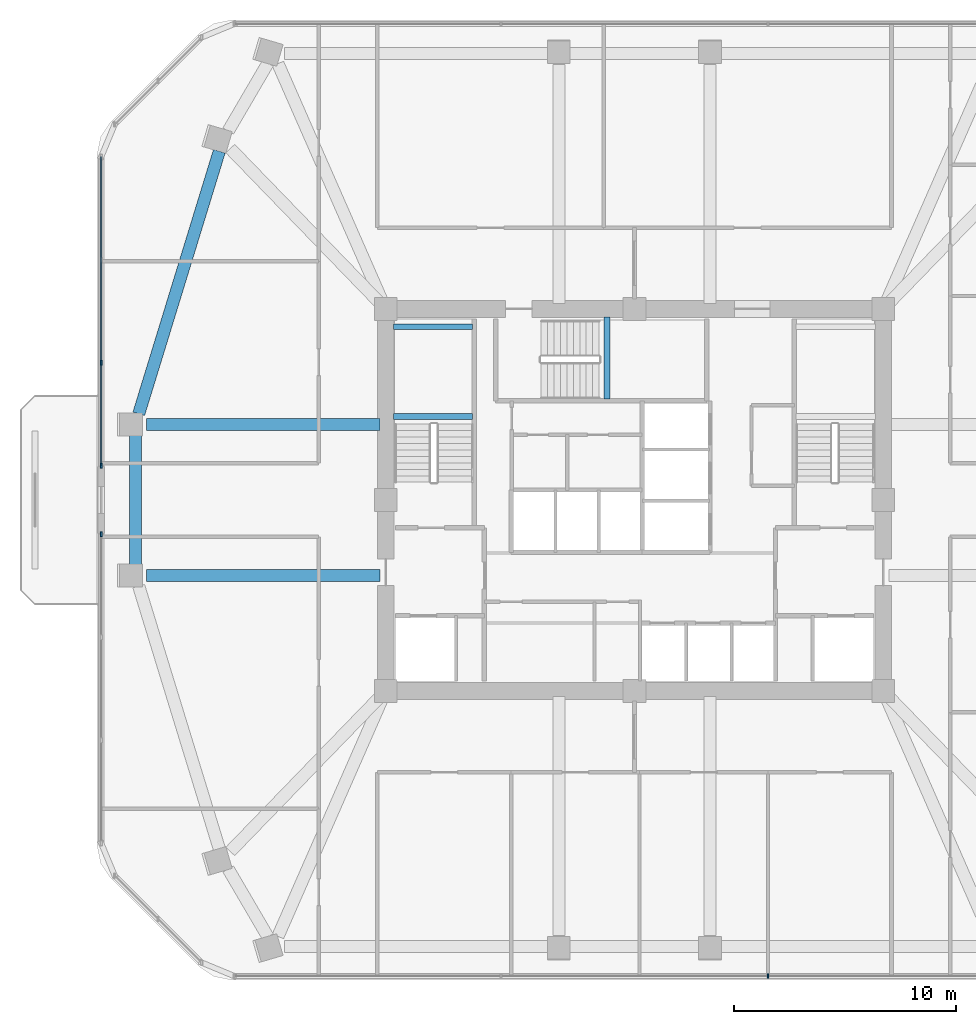
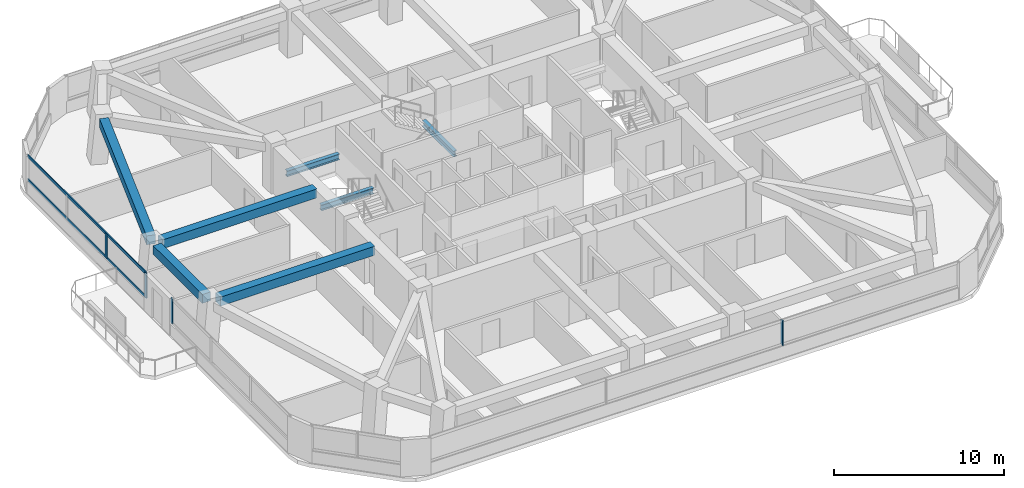
# One storey, part 4 of 14: 7 beams, 6 members, 3 elements without a shape of their own.
"""IFC4 building model written with IfcOpenShell, lengths in metres."""

from ifc_helpers import new_model, si_unit, derived_unit, direction, frame, origin, origin_2d, place, context, subcontext, project, spatial, rectangle, i_section, extrude, material, material_profile, profile_set, type_object, element, aggregate, save


model = new_model("IFC4")

# Units and contexts
model_context = context("Model", 3, precision=1e-05, world=origin(), true_north=direction((0.0, 1.0)))
body_context = subcontext(model_context, "Body", "Model", "MODEL_VIEW")
ifc_project = project(units=[si_unit("LENGTHUNIT", "METRE"), si_unit("AREAUNIT", "SQUARE_METRE"), si_unit("VOLUMEUNIT", "CUBIC_METRE"), si_unit("PLANEANGLEUNIT", "RADIAN"), si_unit("MASSUNIT", "GRAM", prefix="KILO"), derived_unit("THERMALTRANSMITTANCEUNIT", [(si_unit("POWERUNIT", "WATT"), 1), (si_unit("LENGTHUNIT", "METRE"), -2), (si_unit("THERMODYNAMICTEMPERATUREUNIT", "KELVIN"), -1)])], contexts=[model_context])

# Site, building, storey
site_placement = place(None, origin())
site = spatial("IfcSite", under=ifc_project, at=site_placement, CompositionType="ELEMENT")
building_placement = place(site_placement, origin())
building = spatial("IfcBuilding", under=site, at=building_placement, Name="Koralith Skygarden Medical Center", CompositionType="ELEMENT")
storey_placement = place(building_placement, frame((0.0, 0.0, 120.780029296875)))
storey = spatial("IfcBuildingStorey", under=building, at=storey_placement, Name="L31", CompositionType="ELEMENT", Elevation=120.780029296875)

# Curtain wall, member
ifc_material_1 = material(Name="Clear Laminated Glass", Category="glass")
curtain_wall_type = type_object("IfcCurtainWallType", Name="CW-3 Zone 2 Faceted Solar Curtain Wall", PredefinedType="NOTDEFINED", material=ifc_material_1)
curtain_wall_1_placement = place(storey_placement, origin())
curtain_wall_1 = element("IfcCurtainWall", 1, at=curtain_wall_1_placement, inside=storey, type_object=curtain_wall_type, Name="Curtain Wall CW-L31-S", PredefinedType="NOTDEFINED")
ifc_material_2 = material(Name="Aluminium 6063-T6", Category="aluminium")
ifc_material_profile_1 = material_profile(ifc_material_2, rectangle(XDim=0.073974609375, YDim=0.219970703125, at=origin_2d()), Name="MUL74X220")
ifc_profile_set_1 = profile_set([ifc_material_profile_1], Name="Aluminium 6063-T6")
member_type_1 = type_object("IfcMemberType", Name="CW-3 Extruded Mullion 74x220", PredefinedType="MULLION", material=ifc_profile_set_1)
member_1_placement = place(storey_placement, frame((43.008056640625, 4.47607421875, 0.849853515625), z_axis=(0.0, 0.0, 1.0), x_axis=(1.0, 0.0, 0.0)))
member_1 = element("IfcMember", 2, at=member_1_placement, type_object=member_type_1, Name="CW-L31-S Mullion 3", PredefinedType="MULLION", context=body_context, shape_type="SweptSolid", body=[
    extrude(rectangle(XDim=0.073974609375, YDim=0.219970703125, at=origin_2d()), origin(), (0.0, 0.0, 1.0), 1.800048828125),
])
aggregate(curtain_wall_1, [member_1])

# Curtain wall, members
curtain_wall_2_placement = place(storey_placement, origin())
curtain_wall_2 = element("IfcCurtainWall", 3, at=curtain_wall_2_placement, inside=storey, type_object=curtain_wall_type, Name="Curtain Wall CW-L31-W-L", PredefinedType="NOTDEFINED")
member_2_placement = place(storey_placement, frame((13.0, 32.075927734375, 0.849853515625), z_axis=(0.0, 0.0, 1.0), x_axis=(1.0, 0.0, 0.0)))
member_2 = element("IfcMember", 4, at=member_2_placement, type_object=member_type_1, Name="CW-L31-W-L Mullion 3", PredefinedType="MULLION", context=body_context, shape_type="SweptSolid", body=[
    extrude(rectangle(XDim=0.073974609375, YDim=0.219970703125, at=origin_2d()), origin(), (0.0, 0.0, 1.0), 1.800048828125),
])
member_3_placement = place(storey_placement, frame((13.0, 27.43994140625, 0.849853515625), z_axis=(0.0, 0.0, 1.0), x_axis=(1.0, 0.0, 0.0)))
member_3 = element("IfcMember", 5, at=member_3_placement, type_object=member_type_1, Name="CW-L31-W-L Mullion 4", PredefinedType="MULLION", context=body_context, shape_type="SweptSolid", body=[
    extrude(rectangle(XDim=0.073974609375, YDim=0.219970703125, at=origin_2d()), origin(), (0.0, 0.0, 1.0), 1.800048828125),
])

# Curtain wall, member
curtain_wall_3_placement = place(storey_placement, origin())
curtain_wall_3 = element("IfcCurtainWall", 6, at=curtain_wall_3_placement, inside=storey, type_object=curtain_wall_type, Name="Curtain Wall CW-L31-W-R", PredefinedType="NOTDEFINED")
member_4_placement = place(storey_placement, frame((13.0, 24.360107421875, 0.849853515625), z_axis=(0.0, 0.0, 1.0), x_axis=(1.0, 0.0, 0.0)))
member_4 = element("IfcMember", 7, at=member_4_placement, type_object=member_type_1, Name="CW-L31-W-R Mullion 1", PredefinedType="MULLION", context=body_context, shape_type="SweptSolid", body=[
    extrude(rectangle(XDim=0.073974609375, YDim=0.219970703125, at=origin_2d()), origin(), (0.0, 0.0, 1.0), 1.800048828125),
])
aggregate(curtain_wall_3, [member_4])

# Member
ifc_material_profile_2 = material_profile(ifc_material_2, rectangle(XDim=0.069091796875, YDim=0.197998046875, at=origin_2d()), Name="TRN69X198")
ifc_profile_set_2 = profile_set([ifc_material_profile_2], Name="Aluminium 6063-T6")
member_type_2 = type_object("IfcMemberType", Name="CW-3 Thermal Transom 69x198", PredefinedType="USERDEFINED", material=ifc_profile_set_2)
member_5_placement = place(storey_placement, frame((13.0, 41.347900390625, 0.89990234375), z_axis=(0.0, -1.0, 0.0), x_axis=(1.0, 0.0, 0.0)))
member_5 = element("IfcMember", 8, at=member_5_placement, type_object=member_type_2, Name="CW-L31-W-L Transom 1", ObjectType="TRANSOM", PredefinedType="USERDEFINED", context=body_context, shape_type="SweptSolid", body=[
    extrude(rectangle(XDim=0.069091796875, YDim=0.197998046875, at=origin_2d()), origin(), (0.0, 0.0, 1.0), 13.907958984375),
])

member_6_placement = place(storey_placement, frame((13.0, 41.347900390625, 2.599853515625), z_axis=(0.0, -1.0, 0.0), x_axis=(1.0, 0.0, 0.0)))
member_6 = element("IfcMember", 9, at=member_6_placement, type_object=member_type_2, Name="CW-L31-W-L Transom 2", ObjectType="TRANSOM", PredefinedType="USERDEFINED", context=body_context, shape_type="SweptSolid", body=[
    extrude(rectangle(XDim=0.069091796875, YDim=0.197998046875, at=origin_2d()), origin(), (0.0, 0.0, 1.0), 13.907958984375),
])

aggregate(curtain_wall_2, [member_2, member_3, member_5, member_6])

# Beams
ifc_material_3 = material(Name="Steel ASTM A992 Grade 50", Category="steel")
ifc_material_profile_3 = material_profile(ifc_material_3, i_section(OverallWidth=0.260009765625, OverallDepth=0.4150390625, WebThickness=0.010009765625, FlangeThickness=0.016845703125, at=origin_2d()), Name="W16X67")
ifc_profile_set_3 = profile_set([ifc_material_profile_3], Name="Steel ASTM A992 Grade 50")
beam_type_1 = type_object("IfcBeamType", Name="Clinical Floor Joist W16X67", PredefinedType="JOIST", material=ifc_profile_set_3)
for number, where, z_axis, x_axis, name in (
    (10, (26.155029296875, 29.659912109375, 1.39208984375), (1.0, 0.0, 0.0), (0.0, 1.0, 0.0), "L31 Stair ST1 Half-Landing Support Beam 1A"),
    (11, (26.155029296875, 33.699951171875, 1.39208984375), (1.0, 0.0, 0.0), (0.0, 1.0, 0.0), "L31 Stair ST1 Half-Landing Support Beam 1B"),
):
    element("IfcBeam", number, at=place(storey_placement, frame(where, z_axis=z_axis, x_axis=x_axis)), inside=storey, type_object=beam_type_1, Name=name, PredefinedType="JOIST", context=body_context, shape_type="SweptSolid", body=[
        extrude(i_section(OverallWidth=0.260009765625, OverallDepth=0.4150390625, WebThickness=0.010009765625, FlangeThickness=0.016845703125, at=origin_2d()), origin(), (0.0, 0.0, 1.0), 3.56494140625),
    ])
beam_1_placement = place(storey_placement, frame((35.760009765625, 30.43994140625, 1.39208984375), z_axis=(0.0, 1.0, 0.0), x_axis=(-1.0, 0.0, 0.0)))
element("IfcBeam", 12, at=beam_1_placement, inside=storey, type_object=beam_type_1, Name="L31 Stair ST3 Half-Landing Support Beam 1A", PredefinedType="JOIST", context=body_context, shape_type="SweptSolid", body=[
    extrude(i_section(OverallWidth=0.260009765625, OverallDepth=0.4150390625, WebThickness=0.010009765625, FlangeThickness=0.016845703125, at=origin_2d()), origin(), (0.0, 0.0, 1.0), 3.705078125),
])
ifc_material_4 = material(Name="Concrete C45/55", Category="concrete")
ifc_material_profile_4 = material_profile(ifc_material_4, rectangle(XDim=0.550048828125, YDim=0.639892578125, at=origin_2d()), Name="RCB550X640")
ifc_profile_set_4 = profile_set([ifc_material_profile_4], Name="Concrete C45/55")
beam_type_2 = type_object("IfcBeamType", Name="Radial Collector Beam RCB550X640", PredefinedType="BEAM", material=ifc_profile_set_4)
for number, where, z_axis, x_axis, name in (
    (13, (25.550048828125, 22.5, 2.97998046875), (-1.0, 0.0, 0.0), (0.0, -1.0, 0.0), "L31 Radial Collector Beam RB-01"),
    (14, (25.550048828125, 29.300048828125, 2.97998046875), (-1.0, 0.0, 0.0), (0.0, -1.0, 0.0), "L31 Radial Collector Beam RB-16"),
):
    element("IfcBeam", number, at=place(storey_placement, frame(where, z_axis=z_axis, x_axis=x_axis)), inside=storey, type_object=beam_type_2, Name=name, PredefinedType="BEAM", context=body_context, shape_type="SweptSolid", body=[
        extrude(rectangle(XDim=0.550048828125, YDim=0.639892578125, at=origin_2d()), origin(), (0.0, 0.0, 1.0), 10.507080078125),
    ])
ifc_material_profile_5 = material_profile(ifc_material_4, rectangle(XDim=0.550048828125, YDim=0.639892578125, at=origin_2d()), Name="RCB550X640")
ifc_profile_set_5 = profile_set([ifc_material_profile_5], Name="Concrete C45/55")
beam_type_3 = type_object("IfcBeamType", Name="Zone 2-3 Spandrel Beam RCB550X640", PredefinedType="SPANDREL", material=ifc_profile_set_5)
beam_2_placement = place(storey_placement, frame((18.31591796875, 41.596923828125, 2.97998046875), z_axis=(-0.293303073541, -0.956019511857, 0.0), x_axis=(0.956019511857, -0.293303073541, 0.0)))
element("IfcBeam", 15, at=beam_2_placement, inside=storey, type_object=beam_type_3, Name="L31 Perimeter Spandrel Beam SP-15", PredefinedType="SPANDREL", context=body_context, shape_type="SweptSolid", body=[
    extrude(rectangle(XDim=0.550048828125, YDim=0.639892578125, at=origin_2d()), origin(), (0.0, 0.0, 1.0), 12.362548828125),
])
beam_3_placement = place(storey_placement, frame((14.54296875, 28.800048828125, 2.97998046875), z_axis=(0.0, -1.0, 0.0), x_axis=(1.0, 0.0, 0.0)))
element("IfcBeam", 16, at=beam_3_placement, inside=storey, type_object=beam_type_3, Name="L31 Perimeter Spandrel Beam SP-16", PredefinedType="SPANDREL", context=body_context, shape_type="SweptSolid", body=[
    extrude(rectangle(XDim=0.550048828125, YDim=0.639892578125, at=origin_2d()), origin(), (0.0, 0.0, 1.0), 5.800048828125),
])

save(model, "model.ifc")
